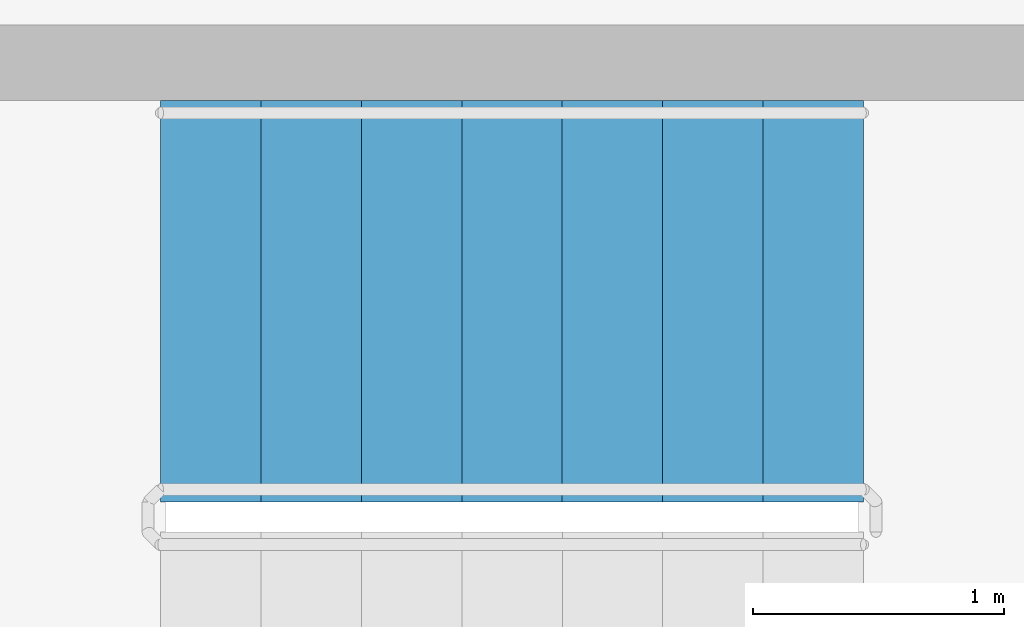
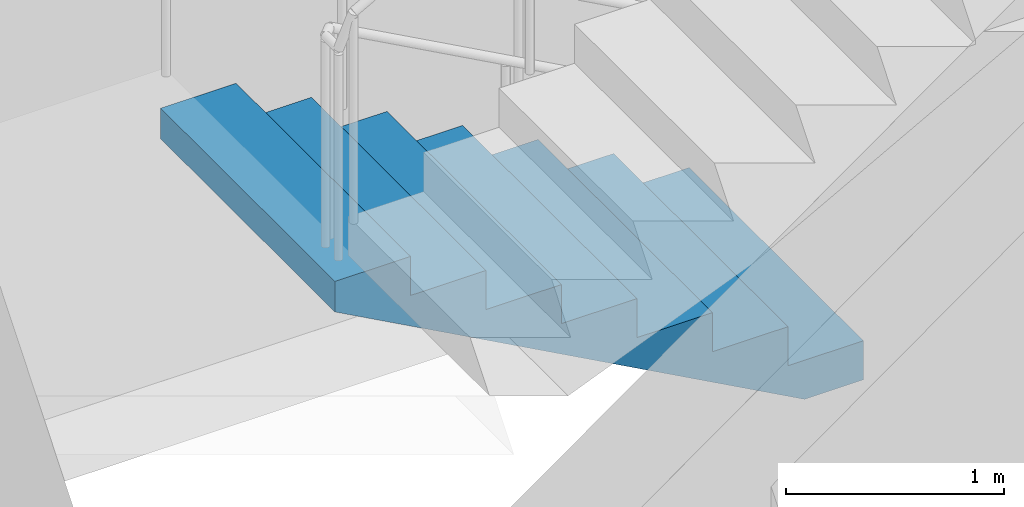
# One storey, part 15 of 16: 1 stair flight, 1 element without a shape of its own.
"""IFC4 building model written with IfcOpenShell, lengths in metres."""

from ifc_helpers import new_model, si_unit, direction, frame, origin, place, context, subcontext, project, spatial, polyline, outline, extrude, material, type_object, element, aggregate, save


model = new_model("IFC4")

# Units and contexts
model_context = context("Model", 3, precision=1e-05, world=origin(), true_north=direction((0.0, 1.0)))
body_context = subcontext(model_context, "Body", "Model", "MODEL_VIEW")
ifc_project = project(units=[si_unit("LENGTHUNIT", "METRE"), si_unit("AREAUNIT", "SQUARE_METRE"), si_unit("VOLUMEUNIT", "CUBIC_METRE"), si_unit("PLANEANGLEUNIT", "RADIAN"), si_unit("MASSUNIT", "GRAM", prefix="KILO")], contexts=[model_context])

# Site, building, storey
site_placement = place(None, origin())
site = spatial("IfcSite", under=ifc_project, at=site_placement, CompositionType="ELEMENT")
building_placement = place(site_placement, origin())
building = spatial("IfcBuilding", under=site, at=building_placement, Name="Spindle Arch Residences", CompositionType="ELEMENT")
storey_placement = place(building_placement, frame((0.0, 0.0, 301.699951171875)))
storey = spatial("IfcBuildingStorey", under=building, at=storey_placement, Name="L77", CompositionType="ELEMENT", Elevation=301.699951171875)

# Stair, stair flight
ifc_material_1 = material(Name="Concrete C50/60", Category="concrete")
stair_type = type_object("IfcStairType", Name="Exit stair 16 risers", PredefinedType="HALF_TURN_STAIR", material=ifc_material_1)
stair_placement = place(storey_placement, origin())
stair = element("IfcStair", 1, at=stair_placement, inside=storey, type_object=stair_type, Name="L77 Exit stair ST1", PredefinedType="HALF_TURN_STAIR")
ifc_material_2 = material(Name="Concrete C50/60", Category="concrete")
stair_flight_type = type_object("IfcStairFlightType", Name="Exit stair flight", PredefinedType="STRAIGHT", material=ifc_material_2)
stair_flight_placement = place(storey_placement, frame((5.14990234375, 7.8701171875, 0.0), z_axis=(0.0, 0.0, 1.0), x_axis=(-1.0, 0.0, 0.0)))
stair_flight = element("IfcStairFlight", 2, at=stair_flight_placement, type_object=stair_flight_type, Name="ST1 flight 1", NumberOfRisers=8, NumberOfTreads=7, PredefinedType="STRAIGHT", RiserHeight=0.21875, TreadLength=0.4, context=body_context, shape_type="SweptSolid", body=[
    extrude(outline(polyline([(0.0, 0.0), (0.0, 0.21875), (0.39990234375, 0.21875), (0.39990234375, 0.4375), (0.800048828125, 0.4375), (0.800048828125, 0.65625), (1.199951171875, 0.65625), (1.199951171875, 0.875), (1.60009765625, 0.875), (1.60009765625, 1.09375), (2.0, 1.09375), (2.0, 1.3125), (2.39990234375, 1.3125), (2.39990234375, 1.53125), (2.800048828125, 1.53125), (2.800048828125, 1.75), (2.800048828125, 1.3603515625), (0.3125, 0.0), (0.0, 0.0)])), frame((0.0, 0.800048828125, 0.0), z_axis=(0.0, -1.0, 0.0), x_axis=(1.0, 0.0, 0.0)), (0.0, 0.0, 1.0), 1.60009765625),
])
aggregate(stair, [stair_flight])

save(model, "model.ifc")
